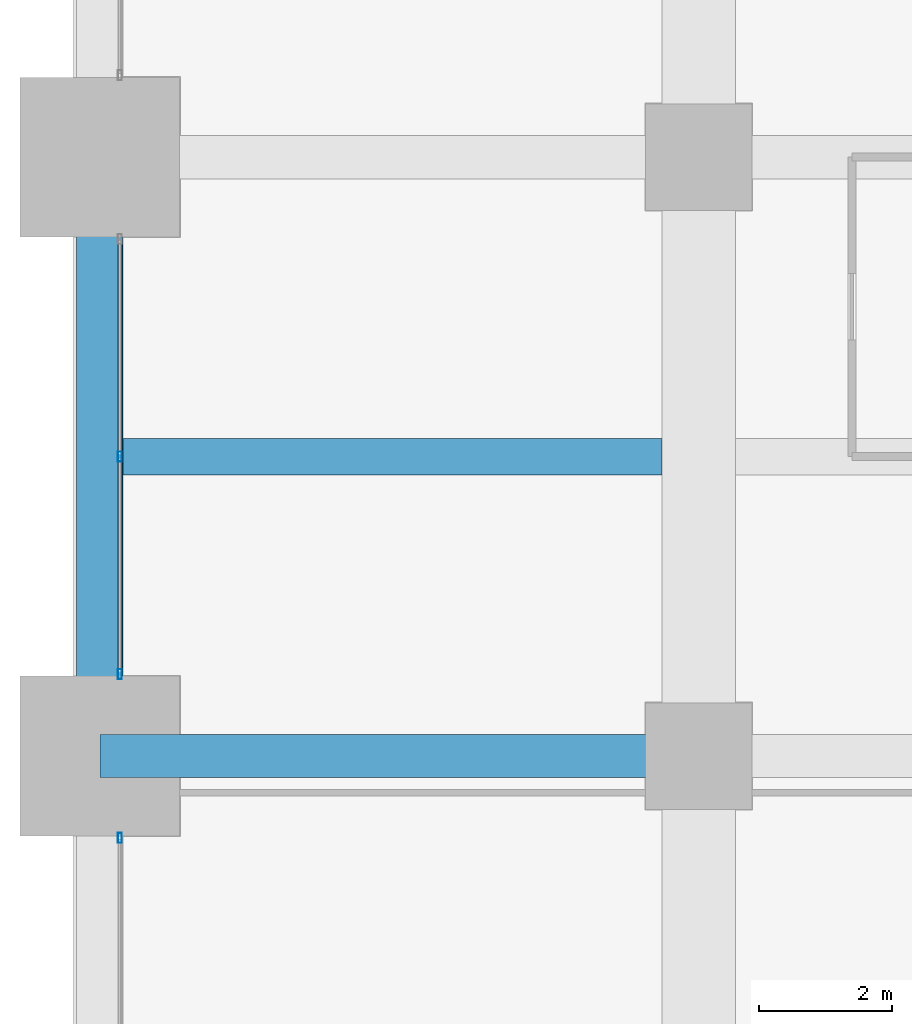
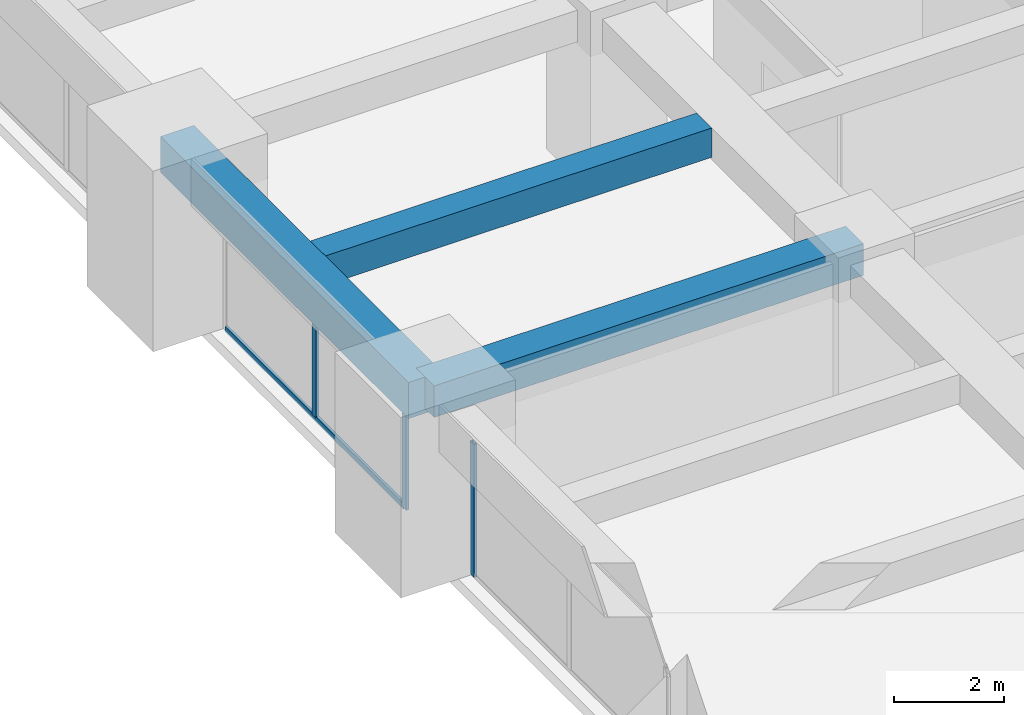
# One storey, part 9 of 33: 4 members, 3 beams, 2 elements without a shape of their own.
"""IFC4 building model written with IfcOpenShell, lengths in metres."""

from ifc_helpers import new_model, si_unit, direction, frame, origin, origin_2d, place, context, subcontext, project, spatial, rectangle, hollow_rectangle, extrude, material, material_profile, profile_set, type_object, element, aggregate, save


model = new_model("IFC4")

# Units and contexts
model_context = context("Model", 3, precision=1e-05, world=origin(), true_north=direction((0.0, 1.0)))
body_context = subcontext(model_context, "Body", "Model", "MODEL_VIEW")
ifc_project = project(units=[si_unit("LENGTHUNIT", "METRE"), si_unit("AREAUNIT", "SQUARE_METRE"), si_unit("VOLUMEUNIT", "CUBIC_METRE"), si_unit("PLANEANGLEUNIT", "RADIAN"), si_unit("MASSUNIT", "GRAM", prefix="KILO")], contexts=[model_context])

# Site, building, storey
site_placement = place(None, origin())
site = spatial("IfcSite", under=ifc_project, at=site_placement, CompositionType="ELEMENT")
building_placement = place(site_placement, origin())
building = spatial("IfcBuilding", under=site, at=building_placement, Name="Zorevar Civic Tower", CompositionType="ELEMENT")
storey_placement = place(building_placement, frame((0.0, 0.0, 178.199951171875)))
storey = spatial("IfcBuildingStorey", under=building, at=storey_placement, Name="L43", CompositionType="ELEMENT", Elevation=178.199951171875)

# Beams
ifc_material_1 = material(Name="Concrete C50/60", Category="concrete")
ifc_material_profile_1 = material_profile(ifc_material_1, rectangle(XDim=0.550048828125, YDim=0.64990234375, at=origin_2d()), Name="RC 550x650")
ifc_profile_set_1 = profile_set([ifc_material_profile_1], Name="Concrete C50/60")
beam_type_1 = type_object("IfcBeamType", Name="Beam RC 550x650", PredefinedType="BEAM", material=ifc_profile_set_1)
beam_1_placement = place(storey_placement, frame((0.35009765625, 22.5, 3.425048828125), z_axis=(1.0, 0.0, 0.0), x_axis=(0.0, 1.0, 0.0)))
element("IfcBeam", 1, at=beam_1_placement, inside=storey, type_object=beam_type_1, Name="Secondary beam L44", PredefinedType="BEAM", context=body_context, shape_type="SweptSolid", body=[
    extrude(rectangle(XDim=0.550048828125, YDim=0.64990234375, at=origin_2d()), origin(), (0.0, 0.0, 1.0), 8.099853515625),
])
ifc_material_2 = material(Name="Concrete C50/60", Category="concrete")
ifc_material_profile_2 = material_profile(ifc_material_2, rectangle(XDim=0.64990234375, YDim=0.699951171875, at=origin_2d()), Name="RC 650x700")
ifc_profile_set_2 = profile_set([ifc_material_profile_2], Name="Concrete C50/60")
beam_type_2 = type_object("IfcBeamType", Name="Beam RC 650x700", PredefinedType="BEAM", material=ifc_profile_set_2)
beam_2_placement = place(storey_placement, frame((0.0, 18.0, 3.400146484375), z_axis=(1.0, 0.0, 0.0), x_axis=(0.0, 1.0, 0.0)))
element("IfcBeam", 2, at=beam_2_placement, inside=storey, type_object=beam_type_2, Name="Girder L44", PredefinedType="BEAM", context=body_context, shape_type="SweptSolid", body=[
    extrude(rectangle(XDim=0.64990234375, YDim=0.699951171875, at=origin_2d()), origin(), (0.0, 0.0, 1.0), 9.0),
])

# Curtain wall, member
ifc_material_3 = material(Name="Dark grey solar-control glass in black aluminium frame", Category="aluminium")
curtain_wall_type = type_object("IfcCurtainWallType", Name="Curtain wall CW4 high zone", PredefinedType="NOTDEFINED", material=ifc_material_3)
curtain_wall_1_placement = place(storey_placement, origin())
curtain_wall_1 = element("IfcCurtainWall", 3, at=curtain_wall_1_placement, inside=storey, type_object=curtain_wall_type, Name="CW4 L43", PredefinedType="NOTDEFINED")
ifc_material_4 = material(Name="Aluminium, black anodised", Category="aluminium")
ifc_material_profile_3 = material_profile(ifc_material_4, hollow_rectangle(XDim=0.06005859375, YDim=0.14990234375, WallThickness=0.00390625, at=origin_2d()), Name="AL 150x60x4")
ifc_profile_set_3 = profile_set([ifc_material_profile_3], Name="Aluminium, black anodised")
member_type_1 = type_object("IfcMemberType", Name="CW4 mullion AL 150x60x4", PredefinedType="MULLION", material=ifc_profile_set_3)
member_1_placement = place(storey_placement, frame((0.300048828125, 16.77001953125, 0.0), z_axis=(0.0, 0.0, 1.0), x_axis=(-1.0, 0.0, 0.0)))
member_1 = element("IfcMember", 4, at=member_1_placement, type_object=member_type_1, Name="CW4 mullion 3", PredefinedType="MULLION", context=body_context, shape_type="SweptSolid", body=[
    extrude(hollow_rectangle(XDim=0.06005859375, YDim=0.14990234375, WallThickness=0.00390625, at=origin_2d()), origin(), (0.0, 0.0, 1.0), 2.949951171875),
])
aggregate(curtain_wall_1, [member_1])

# Curtain wall, members
curtain_wall_2_placement = place(storey_placement, origin())
curtain_wall_2 = element("IfcCurtainWall", 5, at=curtain_wall_2_placement, inside=storey, type_object=curtain_wall_type, Name="CW4 L43", PredefinedType="NOTDEFINED")
member_2_placement = place(storey_placement, frame((0.300048828125, 19.22998046875, 0.0), z_axis=(0.0, 0.0, 1.0), x_axis=(-1.0, 0.0, 0.0)))
member_2 = element("IfcMember", 6, at=member_2_placement, type_object=member_type_1, Name="CW4 mullion 1", PredefinedType="MULLION", context=body_context, shape_type="SweptSolid", body=[
    extrude(hollow_rectangle(XDim=0.06005859375, YDim=0.14990234375, WallThickness=0.00390625, at=origin_2d()), origin(), (0.0, 0.0, 1.0), 2.949951171875),
])
member_3_placement = place(storey_placement, frame((0.300048828125, 22.5, 0.06005859375), z_axis=(0.0, 0.0, 1.0), x_axis=(-1.0, 0.0, 0.0)))
member_3 = element("IfcMember", 7, at=member_3_placement, type_object=member_type_1, Name="CW4 mullion 2", PredefinedType="MULLION", context=body_context, shape_type="SweptSolid", body=[
    extrude(hollow_rectangle(XDim=0.06005859375, YDim=0.14990234375, WallThickness=0.00390625, at=origin_2d()), origin(), (0.0, 0.0, 1.0), 2.889892578125),
])
ifc_material_5 = material(Name="Aluminium, black anodised", Category="aluminium")
ifc_material_profile_4 = material_profile(ifc_material_5, hollow_rectangle(XDim=0.06005859375, YDim=0.1201171875, WallThickness=0.0029296875, at=origin_2d()), Name="AL 120x60x3")
ifc_profile_set_4 = profile_set([ifc_material_profile_4], Name="Aluminium, black anodised")
member_type_2 = type_object("IfcMemberType", Name="CW4 transom AL 120x60x3", PredefinedType="USERDEFINED", material=ifc_profile_set_4)
member_4_placement = place(storey_placement, frame((0.300048828125, 19.260009765625, 0.030029296875), z_axis=(0.0, 1.0, 0.0), x_axis=(-1.0, 0.0, 0.0)))
member_4 = element("IfcMember", 8, at=member_4_placement, type_object=member_type_2, Name="CW4 sill transom", ObjectType="TRANSOM", PredefinedType="USERDEFINED", context=body_context, shape_type="SweptSolid", body=[
    extrude(hollow_rectangle(XDim=0.06005859375, YDim=0.1201171875, WallThickness=0.0029296875, at=origin_2d()), origin(), (0.0, 0.0, 1.0), 6.47998046875),
])
aggregate(curtain_wall_2, [member_2, member_3, member_4])

# Beam
ifc_material_6 = material(Name="Concrete C50/60", Category="concrete")
ifc_material_profile_5 = material_profile(ifc_material_6, rectangle(XDim=0.699951171875, YDim=0.800048828125, at=origin_2d()), Name="RC 700x800")
ifc_profile_set_5 = profile_set([ifc_material_profile_5], Name="Concrete C50/60")
beam_type_3 = type_object("IfcBeamType", Name="Edge beam RC 700x800", PredefinedType="SPANDREL", material=ifc_profile_set_5)
beam_3_placement = place(storey_placement, frame((0.0, 18.0, 3.35009765625), z_axis=(0.0, 1.0, 0.0), x_axis=(-1.0, 0.0, 0.0)))
element("IfcBeam", 9, at=beam_3_placement, inside=storey, type_object=beam_type_3, Name="Edge beam L44", PredefinedType="SPANDREL", context=body_context, shape_type="SweptSolid", body=[
    extrude(rectangle(XDim=0.699951171875, YDim=0.800048828125, at=origin_2d()), origin(), (0.0, 0.0, 1.0), 9.0),
])

save(model, "model.ifc")
